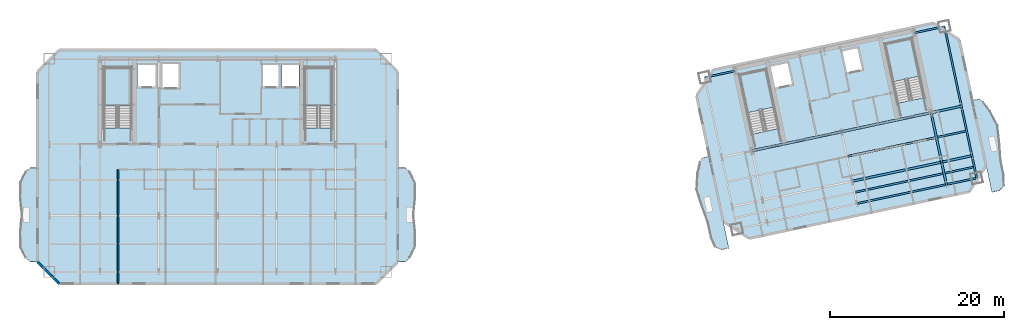
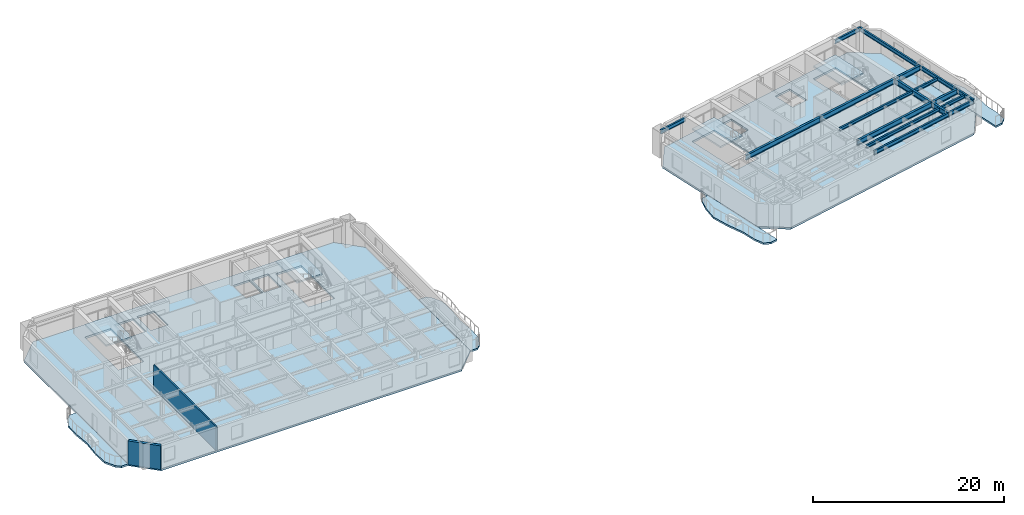
# One storey, part 4 of 13: 18 beams, 10 slabs, 2 walls, 4 elements without a shape of their own.
"""IFC4 building model written with IfcOpenShell, lengths in metres."""

from ifc_helpers import new_model, si_unit, direction, frame, frame_2d, origin, origin_2d, place, context, subcontext, project, spatial, polyline, rectangle, i_section, outline, extrude, material, layer, layer_set, material_profile, profile_set, type_object, element, aggregate, save


model = new_model("IFC4")

# Units and contexts
model_context = context("Model", 3, precision=1e-05, world=origin(), true_north=direction((0.0, 1.0)))
body_context = subcontext(model_context, "Body", "Model", "MODEL_VIEW")
ifc_project = project(units=[si_unit("LENGTHUNIT", "METRE"), si_unit("AREAUNIT", "SQUARE_METRE"), si_unit("VOLUMEUNIT", "CUBIC_METRE"), si_unit("PLANEANGLEUNIT", "RADIAN"), si_unit("MASSUNIT", "GRAM", prefix="KILO")], contexts=[model_context])

# Site, building, storey
site_placement = place(None, origin())
site = spatial("IfcSite", under=ifc_project, at=site_placement, CompositionType="ELEMENT")
building_placement = place(site_placement, origin())
building = spatial("IfcBuilding", under=site, at=building_placement, Name="Haevon Station Towers", CompositionType="ELEMENT")
storey_placement = place(building_placement, frame((0.0, 0.0, 182.39990234375)))
storey = spatial("IfcBuildingStorey", under=building, at=storey_placement, Name="L50", CompositionType="ELEMENT", Elevation=182.39990234375)

# Beams
ifc_material_1 = material(Name="Steel S355", Category="steel")
ifc_material_profile_1 = material_profile(ifc_material_1, i_section(OverallWidth=0.25, OverallDepth=0.64990234375, WebThickness=0.012939453125, FlangeThickness=0.02197265625, at=origin_2d()), Name="H-650x250x13x22")
ifc_profile_set_1 = profile_set([ifc_material_profile_1], Name="Steel S355")
beam_type_1 = type_object("IfcBeamType", Name="BM-G650", PredefinedType="BEAM", material=ifc_profile_set_1)
beam_1_placement = place(storey_placement, frame((110.228759765625, 33.9521484375, 2.72509765625), z_axis=(0.978146794194, 0.207915485254, 0.0), x_axis=(-0.207915485254, 0.978146794194, 0.0)))
element("IfcBeam", 1, at=beam_1_placement, inside=storey, type_object=beam_type_1, Name="BM-T2U-L50-02-03", PredefinedType="BEAM", context=body_context, shape_type="SweptSolid", body=[
    extrude(i_section(OverallWidth=0.25, OverallDepth=0.64990234375, WebThickness=0.012939453125, FlangeThickness=0.02197265625, at=origin_2d()), origin(), (0.0, 0.0, 1.0), 10.5),
])
beam_2_placement = place(storey_placement, frame((120.499267578125, 36.13525390625, 2.72509765625), z_axis=(0.978150285663, 0.207899058817, 0.0), x_axis=(-0.207899058817, 0.978150285663, 0.0)))
element("IfcBeam", 2, at=beam_2_placement, inside=storey, type_object=beam_type_1, Name="BM-T2U-L50-02-04", PredefinedType="BEAM", context=body_context, shape_type="SweptSolid", body=[
    extrude(i_section(OverallWidth=0.25, OverallDepth=0.64990234375, WebThickness=0.012939453125, FlangeThickness=0.02197265625, at=origin_2d()), origin(), (0.0, 0.0, 1.0), 3.550048828125),
])
for number, where, z_axis, x_axis, name in (
    (3, (98.75244140625, 37.4423828125, 2.72509765625), (0.978146794194, 0.207915485254, 0.0), (-0.207915485254, 0.978146794194, 0.0), "BM-T2U-L50-03-02"),
    (4, (109.02294921875, 39.62548828125, 2.72509765625), (0.978146794194, 0.207915485254, 0.0), (-0.207915485254, 0.978146794194, 0.0), "BM-T2U-L50-03-03"),
):
    element("IfcBeam", number, at=place(storey_placement, frame(where, z_axis=z_axis, x_axis=x_axis)), inside=storey, type_object=beam_type_1, Name=name, PredefinedType="BEAM", context=body_context, shape_type="SweptSolid", body=[
        extrude(i_section(OverallWidth=0.25, OverallDepth=0.64990234375, WebThickness=0.012939453125, FlangeThickness=0.02197265625, at=origin_2d()), origin(), (0.0, 0.0, 1.0), 10.5),
    ])
beam_3_placement = place(storey_placement, frame((119.29345703125, 41.80859375, 2.72509765625), z_axis=(0.978150285663, 0.207899058817, 0.0), x_axis=(-0.207899058817, 0.978150285663, 0.0)))
element("IfcBeam", 5, at=beam_3_placement, inside=storey, type_object=beam_type_1, Name="BM-T2U-L50-03-04", PredefinedType="BEAM", context=body_context, shape_type="SweptSolid", body=[
    extrude(i_section(OverallWidth=0.25, OverallDepth=0.64990234375, WebThickness=0.012939453125, FlangeThickness=0.02197265625, at=origin_2d()), origin(), (0.0, 0.0, 1.0), 3.550048828125),
])
beam_4_placement = place(storey_placement, frame((121.0439453125, 33.572509765625, 2.72509765625), z_axis=(-0.207893304367, 0.978151508714, 0.0), x_axis=(-0.978151508714, -0.207893304367, 0.0)))
element("IfcBeam", 6, at=beam_4_placement, inside=storey, type_object=beam_type_1, Name="BM-T2V-L50-04-01", PredefinedType="BEAM", context=body_context, shape_type="SweptSolid", body=[
    extrude(i_section(OverallWidth=0.25, OverallDepth=0.64990234375, WebThickness=0.012939453125, FlangeThickness=0.02197265625, at=origin_2d()), origin(), (0.0, 0.0, 1.0), 2.619873046875),
])
beam_5_placement = place(storey_placement, frame((120.499267578125, 36.13525390625, 2.72509765625), z_axis=(-0.207896009217, 0.97815093383, 0.0), x_axis=(-0.97815093383, -0.207896009217, 0.0)))
element("IfcBeam", 7, at=beam_5_placement, inside=storey, type_object=beam_type_1, Name="BM-T2V-L50-04-02", PredefinedType="BEAM", context=body_context, shape_type="SweptSolid", body=[
    extrude(i_section(OverallWidth=0.25, OverallDepth=0.64990234375, WebThickness=0.012939453125, FlangeThickness=0.02197265625, at=origin_2d()), origin(), (0.0, 0.0, 1.0), 5.800048828125),
])
ifc_material_profile_2 = material_profile(ifc_material_1, i_section(OverallWidth=0.199951171875, OverallDepth=0.39990234375, WebThickness=0.008056640625, FlangeThickness=0.012939453125, at=origin_2d()), Name="H-400x200x8x13")
ifc_profile_set_2 = profile_set([ifc_material_profile_2], Name="Steel S355")
beam_type_2 = type_object("IfcBeamType", Name="BM-J400", PredefinedType="JOIST", material=ifc_profile_set_2)
beam_6_placement = place(storey_placement, frame((110.608642578125, 32.693603515625, 2.85009765625), z_axis=(0.978145509903, 0.207921527161, 0.0), x_axis=(-0.207921527161, 0.978145509903, 0.0)))
element("IfcBeam", 8, at=beam_6_placement, inside=storey, type_object=beam_type_2, Name="BM-T2J-L50-01-03", PredefinedType="JOIST", context=body_context, shape_type="SweptSolid", body=[
    extrude(i_section(OverallWidth=0.199951171875, OverallDepth=0.39990234375, WebThickness=0.008056640625, FlangeThickness=0.012939453125, at=origin_2d()), origin(), (0.0, 0.0, 1.0), 10.280029296875),
])
beam_7_placement = place(storey_placement, frame((120.87939453125, 34.876708984375, 2.85009765625), z_axis=(0.978143382141, 0.207931536748, 0.0), x_axis=(-0.207931536748, 0.978143382141, 0.0)))
element("IfcBeam", 9, at=beam_7_placement, inside=storey, type_object=beam_type_2, Name="BM-T2J-L50-01-04", PredefinedType="JOIST", context=body_context, shape_type="SweptSolid", body=[
    extrude(i_section(OverallWidth=0.199951171875, OverallDepth=0.39990234375, WebThickness=0.008056640625, FlangeThickness=0.012939453125, at=origin_2d()), origin(), (0.0, 0.0, 1.0), 3.329833984375),
])
beam_8_placement = place(storey_placement, frame((109.7333984375, 36.811767578125, 2.85009765625), z_axis=(0.978150339653, 0.207898804801, 0.0), x_axis=(-0.207898804801, 0.978150339653, 0.0)))
element("IfcBeam", 10, at=beam_8_placement, inside=storey, type_object=beam_type_2, Name="BM-T2J-L50-02-03", PredefinedType="JOIST", context=body_context, shape_type="SweptSolid", body=[
    extrude(i_section(OverallWidth=0.199951171875, OverallDepth=0.39990234375, WebThickness=0.008056640625, FlangeThickness=0.012939453125, at=origin_2d()), origin(), (0.0, 0.0, 1.0), 10.280029296875),
])
beam_9_placement = place(storey_placement, frame((120.00390625, 38.994873046875, 2.85009765625), z_axis=(0.978146551768, 0.207916625754, 0.0), x_axis=(-0.207916625754, 0.978146551768, 0.0)))
element("IfcBeam", 11, at=beam_9_placement, inside=storey, type_object=beam_type_2, Name="BM-T2J-L50-02-04", PredefinedType="JOIST", context=body_context, shape_type="SweptSolid", body=[
    extrude(i_section(OverallWidth=0.199951171875, OverallDepth=0.39990234375, WebThickness=0.008056640625, FlangeThickness=0.012939453125, at=origin_2d()), origin(), (0.0, 0.0, 1.0), 3.330078125),
])
ifc_material_profile_3 = material_profile(ifc_material_1, i_section(OverallWidth=0.199951171875, OverallDepth=0.5, WebThickness=0.010009765625, FlangeThickness=0.01611328125, at=origin_2d()), Name="H-500x200x10x16")
ifc_profile_set_3 = profile_set([ifc_material_profile_3], Name="Steel S355")
beam_type_3 = type_object("IfcBeamType", Name="BM-SP500", PredefinedType="SPANDREL", material=ifc_profile_set_3)
beam_10_placement = place(storey_placement, frame((110.7734375, 31.389404296875, 2.800048828125), z_axis=(0.978146794194, 0.207915485254, 0.0), x_axis=(-0.207915485254, 0.978146794194, 0.0)))
element("IfcBeam", 12, at=beam_10_placement, inside=storey, type_object=beam_type_3, Name="BM-T2U-L50-01-03", PredefinedType="SPANDREL", context=body_context, shape_type="SweptSolid", body=[
    extrude(i_section(OverallWidth=0.199951171875, OverallDepth=0.5, WebThickness=0.010009765625, FlangeThickness=0.01611328125, at=origin_2d()), origin(), (0.0, 0.0, 1.0), 10.5),
])
beam_11_placement = place(storey_placement, frame((121.0439453125, 33.572509765625, 2.800048828125), z_axis=(0.978153257847, 0.207885074414, 0.0), x_axis=(-0.207885074414, 0.978153257847, 0.0)))
element("IfcBeam", 13, at=beam_11_placement, inside=storey, type_object=beam_type_3, Name="BM-T2U-L50-01-04", PredefinedType="SPANDREL", context=body_context, shape_type="SweptSolid", body=[
    extrude(i_section(OverallWidth=0.199951171875, OverallDepth=0.5, WebThickness=0.010009765625, FlangeThickness=0.01611328125, at=origin_2d()), origin(), (0.0, 0.0, 1.0), 3.55029296875),
])
beam_12_placement = place(storey_placement, frame((93.3359375, 45.85009765625, 2.800048828125), z_axis=(0.978150285663, 0.207899058817, 0.0), x_axis=(-0.207899058817, 0.978150285663, 0.0)))
element("IfcBeam", 14, at=beam_12_placement, inside=storey, type_object=beam_type_3, Name="BM-T2U-L50-04-01", PredefinedType="SPANDREL", context=body_context, shape_type="SweptSolid", body=[
    extrude(i_section(OverallWidth=0.199951171875, OverallDepth=0.5, WebThickness=0.010009765625, FlangeThickness=0.01611328125, at=origin_2d()), origin(), (0.0, 0.0, 1.0), 3.550048828125),
])
beam_13_placement = place(storey_placement, frame((117.349365234375, 50.954345703125, 2.800048828125), z_axis=(0.978153257847, 0.207885074414, 0.0), x_axis=(-0.207885074414, 0.978153257847, 0.0)))
element("IfcBeam", 15, at=beam_13_placement, inside=storey, type_object=beam_type_3, Name="BM-T2U-L50-04-04", PredefinedType="SPANDREL", context=body_context, shape_type="SweptSolid", body=[
    extrude(i_section(OverallWidth=0.199951171875, OverallDepth=0.5, WebThickness=0.010009765625, FlangeThickness=0.01611328125, at=origin_2d()), origin(), (0.0, 0.0, 1.0), 3.55029296875),
])
beam_14_placement = place(storey_placement, frame((124.5166015625, 34.310546875, 2.800048828125), z_axis=(-0.207982458313, 0.978132555963, 0.0), x_axis=(-0.978132555963, -0.207982458313, 0.0)))
element("IfcBeam", 16, at=beam_14_placement, inside=storey, type_object=beam_type_3, Name="BM-T2V-L50-05-01", PredefinedType="SPANDREL", context=body_context, shape_type="SweptSolid", body=[
    extrude(i_section(OverallWidth=0.199951171875, OverallDepth=0.5, WebThickness=0.010009765625, FlangeThickness=0.01611328125, at=origin_2d()), origin(), (0.0, 0.0, 1.0), 2.6201171875),
])
beam_15_placement = place(storey_placement, frame((123.9716796875, 36.873291015625, 2.800048828125), z_axis=(-0.207896009217, 0.97815093383, 0.0), x_axis=(-0.97815093383, -0.207896009217, 0.0)))
element("IfcBeam", 17, at=beam_15_placement, inside=storey, type_object=beam_type_3, Name="BM-T2V-L50-05-02", PredefinedType="SPANDREL", context=body_context, shape_type="SweptSolid", body=[
    extrude(i_section(OverallWidth=0.199951171875, OverallDepth=0.5, WebThickness=0.010009765625, FlangeThickness=0.01611328125, at=origin_2d()), origin(), (0.0, 0.0, 1.0), 5.800048828125),
])
beam_16_placement = place(storey_placement, frame((122.765869140625, 42.546630859375, 2.800048828125), z_axis=(-0.207897167074, 0.978150687738, 0.0), x_axis=(-0.978150687738, -0.207897167074, 0.0)))
element("IfcBeam", 18, at=beam_16_placement, inside=storey, type_object=beam_type_3, Name="BM-T2V-L50-05-03", PredefinedType="SPANDREL", context=body_context, shape_type="SweptSolid", body=[
    extrude(i_section(OverallWidth=0.199951171875, OverallDepth=0.5, WebThickness=0.010009765625, FlangeThickness=0.01611328125, at=origin_2d()), origin(), (0.0, 0.0, 1.0), 9.35009765625),
])

# Slabs
ifc_material_2 = material(Name="Concrete C40/50", Category="concrete")
ifc_layer_1 = layer(ifc_material_2, 0.219970703125)
ifc_layer_set_1 = layer_set([ifc_layer_1], Name="Concrete C40/50")
slab_type_1 = type_object("IfcSlabType", Name="SL-BALC220", PredefinedType="FLOOR", material=ifc_layer_set_1)
slab_1_placement = place(storey_placement, frame((0.0, 0.0, -0.219970703125)))
element("IfcSlab", 19, at=slab_1_placement, inside=storey, type_object=slab_type_1, Name="Tower 1 L50 West SCALLOPED BALCONY", PredefinedType="FLOOR", context=body_context, shape_type="SweptSolid", body=[
    extrude(outline(polyline([(16.844970703125, 35.5), (15.9951171875, 35.5), (15.496826171875, 35.0888671875), (14.89111328125, 33.91845703125), (14.837646484375, 32.16650390625), (14.998779296875, 30.10009765625), (14.837646484375, 28.033447265625), (14.89111328125, 26.28173828125), (15.496826171875, 25.111083984375), (15.9951171875, 24.699951171875), (16.844970703125, 24.699951171875), (16.844970703125, 35.5)])), origin(), (0.0, 0.0, 1.0), 0.219970703125),
])
slab_2_placement = place(storey_placement, frame((0.0, 0.0, -0.219970703125)))
element("IfcSlab", 20, at=slab_2_placement, inside=storey, type_object=slab_type_1, Name="Tower 1 L50 East SCALLOPED BALCONY", PredefinedType="FLOOR", context=body_context, shape_type="SweptSolid", body=[
    extrude(outline(polyline([(58.155029296875, 24.699951171875), (59.0048828125, 24.699951171875), (59.503173828125, 25.111083984375), (60.10888671875, 26.28173828125), (60.162353515625, 28.033447265625), (60.001220703125, 30.10009765625), (60.162353515625, 32.16650390625), (60.10888671875, 33.91845703125), (59.503173828125, 35.0888671875), (59.0048828125, 35.5), (58.155029296875, 35.5), (58.155029296875, 24.699951171875)])), origin(), (0.0, 0.0, 1.0), 0.219970703125),
])
slab_3_placement = place(storey_placement, frame((0.0, 0.0, -0.219970703125)))
element("IfcSlab", 21, at=slab_3_placement, inside=storey, type_object=slab_type_1, Name="Tower 2 L50 West SCALLOPED BALCONY", PredefinedType="FLOOR", context=body_context, shape_type="SweptSolid", body=[
    extrude(outline(polyline([(93.8681640625, 36.82861328125), (93.005615234375, 36.645263671875), (92.79443359375, 36.179931640625), (92.491943359375, 34.9189453125), (92.360595703125, 33.10009765625), (92.936767578125, 31.10986328125), (93.6943359375, 29.158203125), (94.07958984375, 27.44921875), (94.55029296875, 26.3525390625), (95.2509765625, 26.0810546875), (96.11376953125, 26.2646484375), (93.8681640625, 36.82861328125)])), origin(), (0.0, 0.0, 1.0), 0.219970703125),
])
slab_4_placement = place(storey_placement, frame((0.0, 0.0, -0.219970703125)))
element("IfcSlab", 22, at=slab_4_placement, inside=storey, type_object=slab_type_1, Name="Tower 2 L50 East SCALLOPED BALCONY", PredefinedType="FLOOR", context=body_context, shape_type="SweptSolid", body=[
    extrude(outline(polyline([(126.25048828125, 32.67041015625), (127.113037109375, 32.853759765625), (127.64306640625, 33.386474609375), (127.626708984375, 34.579833984375), (127.283447265625, 36.2978515625), (127.181884765625, 38.388916015625), (126.898681640625, 40.44140625), (126.0390625, 42.049560546875), (125.249755859375, 43.07861328125), (124.86767578125, 43.417724609375), (124.0048828125, 43.234375), (126.25048828125, 32.67041015625)])), origin(), (0.0, 0.0, 1.0), 0.219970703125),
])

# Stair, slab
stair_type = type_object("IfcStairType", Name="STR-DL1450", PredefinedType="USERDEFINED", material=ifc_material_2)
stair_1_placement = place(storey_placement, origin())
stair_1 = element("IfcStair", 23, at=stair_1_placement, inside=storey, type_object=stair_type, Name="L50 Escape Stair ST1", ObjectType="TWO_RETURN_STAIR", PredefinedType="USERDEFINED")
ifc_layer_2 = layer(ifc_material_2, 0.199951171875)
ifc_layer_set_2 = layer_set([ifc_layer_2], Name="Concrete C40/50")
slab_type_2 = type_object("IfcSlabType", Name="SL-LND200", PredefinedType="LANDING", material=ifc_layer_set_2)
slab_5_placement = place(storey_placement, frame((0.0, 0.0, 1.4501953125)))
slab_5 = element("IfcSlab", 24, at=slab_5_placement, type_object=slab_type_2, Name="L50 ST1 Half Landing 1", PredefinedType="LANDING", context=body_context, shape_type="SweptSolid", body=[
    extrude(outline(polyline([(27.580078125, 42.56396484375), (27.580078125, 47.0), (24.47998046875, 47.0), (24.47998046875, 42.56396484375), (27.580078125, 42.56396484375)])), origin(), (0.0, 0.0, 1.0), 0.199951171875),
])
aggregate(stair_1, [slab_5])

stair_2_placement = place(storey_placement, origin())
stair_2 = element("IfcStair", 25, at=stair_2_placement, inside=storey, type_object=stair_type, Name="L50 Escape Stair ST2", ObjectType="TWO_RETURN_STAIR", PredefinedType="USERDEFINED")
slab_6_placement = place(storey_placement, frame((0.0, 0.0, 1.4501953125)))
slab_6 = element("IfcSlab", 26, at=slab_6_placement, type_object=slab_type_2, Name="L50 ST2 Half Landing 1", PredefinedType="LANDING", context=body_context, shape_type="SweptSolid", body=[
    extrude(outline(polyline([(50.6201171875, 42.56396484375), (50.6201171875, 47.0), (47.52001953125, 47.0), (47.52001953125, 42.56396484375), (50.6201171875, 42.56396484375)])), origin(), (0.0, 0.0, 1.0), 0.199951171875),
])
aggregate(stair_2, [slab_6])

stair_3_placement = place(storey_placement, origin())
stair_3 = element("IfcStair", 27, at=stair_3_placement, inside=storey, type_object=stair_type, Name="L50 Escape Stair ST3", ObjectType="TWO_RETURN_STAIR", PredefinedType="USERDEFINED")
slab_7_placement = place(storey_placement, frame((0.0, 0.0, 1.4501953125)))
slab_7 = element("IfcSlab", 28, at=slab_7_placement, type_object=slab_type_2, Name="L50 ST3 Half Landing 1", PredefinedType="LANDING", context=body_context, shape_type="SweptSolid", body=[
    extrude(outline(polyline([(101.2880859375, 42.44287109375), (100.36572265625, 46.781982421875), (97.33349609375, 46.137451171875), (98.255859375, 41.79833984375), (101.2880859375, 42.44287109375)])), origin(), (0.0, 0.0, 1.0), 0.199951171875),
])
aggregate(stair_3, [slab_7])

stair_4_placement = place(storey_placement, origin())
stair_4 = element("IfcStair", 29, at=stair_4_placement, inside=storey, type_object=stair_type, Name="L50 Escape Stair ST4", ObjectType="TWO_RETURN_STAIR", PredefinedType="USERDEFINED")
slab_8_placement = place(storey_placement, frame((0.0, 0.0, 1.4501953125)))
slab_8 = element("IfcSlab", 30, at=slab_8_placement, type_object=slab_type_2, Name="L50 ST4 Half Landing 1", PredefinedType="LANDING", context=body_context, shape_type="SweptSolid", body=[
    extrude(outline(polyline([(117.975341796875, 45.989990234375), (117.052978515625, 50.328857421875), (114.020751953125, 49.684326171875), (114.943115234375, 45.345458984375), (117.975341796875, 45.989990234375)])), origin(), (0.0, 0.0, 1.0), 0.199951171875),
])
aggregate(stair_4, [slab_8])

# Slabs
ifc_layer_3 = layer(ifc_material_2, 0.25)
ifc_layer_set_3 = layer_set([ifc_layer_3], Name="Concrete C40/50")
slab_type_3 = type_object("IfcSlabType", Name="SL-TW250", PredefinedType="FLOOR", material=ifc_layer_set_3)
slab_9_placement = place(storey_placement, frame((0.0, 0.0, -0.25)))
element("IfcSlab", 31, at=slab_9_placement, inside=storey, type_object=slab_type_3, Name="SL-T1-L50", PredefinedType="FLOOR", context=body_context, shape_type="SweptSolid", body=[
    extrude(outline(polyline([(19.35009765625, 22.199951171875), (55.64990234375, 22.199951171875), (58.14990234375, 24.699951171875), (58.14990234375, 46.5), (55.64990234375, 49.0), (19.35009765625, 49.0), (16.85009765625, 46.5), (16.85009765625, 24.699951171875), (19.35009765625, 22.199951171875)]), holes=[polyline([(27.580078125, 40.055908203125), (27.580078125, 47.0), (24.47998046875, 47.0), (24.47998046875, 40.055908203125), (27.580078125, 40.055908203125)]), polyline([(50.6201171875, 40.055908203125), (50.6201171875, 47.0), (47.52001953125, 47.0), (47.52001953125, 40.055908203125), (50.6201171875, 40.055908203125)]), polyline([(28.300048828125, 44.699951171875), (30.5, 44.699951171875), (30.5, 47.39990234375), (28.300048828125, 47.39990234375), (28.300048828125, 44.699951171875)]), polyline([(31.050048828125, 44.60009765625), (33.14990234375, 44.60009765625), (33.14990234375, 47.5), (31.050048828125, 47.5), (31.050048828125, 44.60009765625)]), polyline([(42.60009765625, 44.699951171875), (44.60009765625, 44.699951171875), (44.60009765625, 47.39990234375), (42.60009765625, 47.39990234375), (42.60009765625, 44.699951171875)]), polyline([(44.85009765625, 44.699951171875), (46.85009765625, 44.699951171875), (46.85009765625, 47.39990234375), (44.85009765625, 47.39990234375), (44.85009765625, 44.699951171875)])]), origin(), (0.0, 0.0, 1.0), 0.25),
])
slab_10_placement = place(storey_placement, frame((0.0, 0.0, -0.25)))
element("IfcSlab", 32, at=slab_10_placement, inside=storey, type_object=slab_type_3, Name="SL-T2-L50", PredefinedType="FLOOR", context=body_context, shape_type="SweptSolid", body=[
    extrude(outline(polyline([(98.43603515625, 27.386962890625), (123.67236328125, 32.7509765625), (125.597900390625, 35.71630859375), (122.527099609375, 50.163330078125), (119.561767578125, 52.089111328125), (94.32568359375, 46.724853515625), (92.400146484375, 43.759765625), (95.470947265625, 29.3125), (98.43603515625, 27.386962890625)]), holes=[polyline([(101.8095703125, 39.98974609375), (100.36572265625, 46.781982421875), (97.33349609375, 46.137451171875), (98.77734375, 39.34521484375), (101.8095703125, 39.98974609375)]), polyline([(118.496826171875, 43.53662109375), (117.052978515625, 50.328857421875), (114.020751953125, 49.684326171875), (115.464599609375, 42.89208984375), (118.496826171875, 43.53662109375)]), polyline([(101.43212890625, 44.554931640625), (103.486328125, 44.99169921875), (102.9248046875, 47.632568359375), (100.870849609375, 47.196044921875), (101.43212890625, 44.554931640625)]), polyline([(109.55078125, 46.28076171875), (111.507080078125, 46.696533203125), (110.94580078125, 49.33740234375), (108.989501953125, 48.921630859375), (109.55078125, 46.28076171875)])]), origin(), (0.0, 0.0, 1.0), 0.25),
])

# Walls
ifc_material_3 = material(Name="Precast concrete C45/55", Category="concrete")
ifc_layer_4 = layer(ifc_material_3, 0.300048828125)
ifc_layer_set_4 = layer_set([ifc_layer_4], Name="Precast concrete C45/55")
wall_type_1 = type_object("IfcWallType", Name="WL-EXT-PIER300", PredefinedType="SOLIDWALL", material=ifc_layer_set_4)
wall_1_placement = place(storey_placement, frame((19.35009765625, 22.199951171875, 0.0), z_axis=(0.0, 0.0, 1.0), x_axis=(-0.707106781187, 0.707106781187, 0.0)))
element("IfcWall", 33, at=wall_1_placement, inside=storey, type_object=wall_type_1, Name="WL-T1-L50-SWC", PredefinedType="SOLIDWALL", context=body_context, shape_type="SweptSolid", body=[
    extrude(rectangle(XDim=3.53564453125, YDim=0.300048828125, at=frame_2d((1.767822265625, 0.0))), origin(), (0.0, 0.0, 1.0), 3.030029296875),
])
ifc_material_4 = material(Name="Gypsum board on steel stud", Category="steel")
ifc_layer_5 = layer(ifc_material_4, 0.159912109375)
ifc_layer_set_5 = layer_set([ifc_layer_5], Name="Gypsum board on steel stud")
wall_type_2 = type_object("IfcWallType", Name="WL-PRT160", PredefinedType="PARTITIONING", material=ifc_layer_set_5)
wall_2_placement = place(storey_placement, frame((26.080078125, 22.199951171875, 0.0), z_axis=(0.0, 0.0, 1.0), x_axis=(0.0, 1.0, 0.0)))
element("IfcWall", 34, at=wall_2_placement, inside=storey, type_object=wall_type_2, Name="WL-T1PT-L50-01", PredefinedType="PARTITIONING", context=body_context, shape_type="SweptSolid", body=[
    extrude(rectangle(XDim=13.080078125, YDim=0.159912109375, at=frame_2d((6.5400390625, 0.0))), origin(), (0.0, 0.0, 1.0), 3.030029296875),
])

save(model, "model.ifc")
